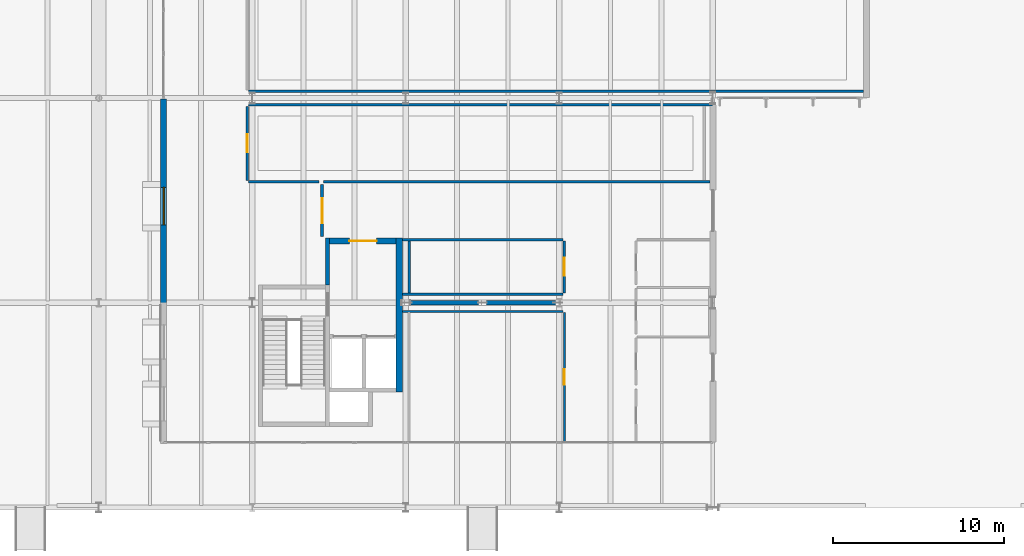
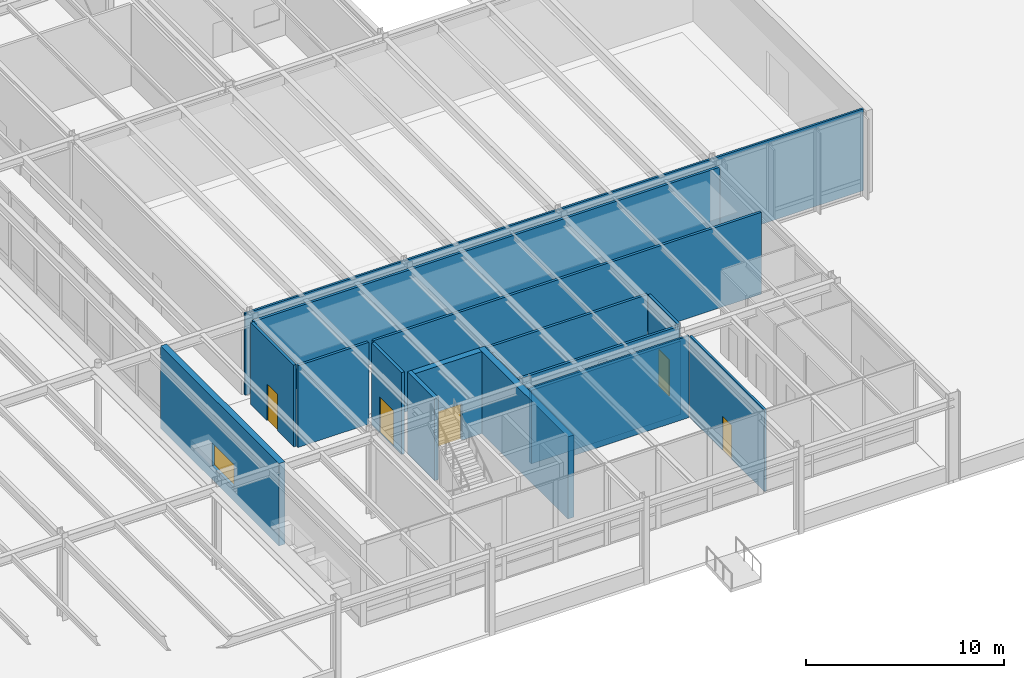
# One storey, part 122 of 143: 17 walls, 5 doors, 1 window, 6 openings.
"""IFC4 building model written with IfcOpenShell, lengths in metres."""

from ifc_helpers import new_model, si_unit, direction, frame, frame_2d, origin, place, context, subcontext, project, spatial, rectangle, extrude, material, layer, layer_set, type_object, element, fill, save


model = new_model("IFC4")

# Units and contexts
model_context = context("Model", 3, precision=1e-05, world=origin(), true_north=direction((0.0, 1.0)))
body_context = subcontext(model_context, "Body", "Model", "MODEL_VIEW")
ifc_project = project(units=[si_unit("LENGTHUNIT", "METRE"), si_unit("AREAUNIT", "SQUARE_METRE"), si_unit("VOLUMEUNIT", "CUBIC_METRE"), si_unit("PLANEANGLEUNIT", "RADIAN"), si_unit("MASSUNIT", "GRAM", prefix="KILO")], contexts=[model_context])

# Site, building, storey
site_placement = place(None, origin())
site = spatial("IfcSite", under=ifc_project, at=site_placement, CompositionType="ELEMENT")
building_placement = place(site_placement, origin())
building = spatial("IfcBuilding", under=site, at=building_placement, Name="Montelvaro Courts of Justice", CompositionType="ELEMENT")
storey_placement = place(building_placement, origin())
storey = spatial("IfcBuildingStorey", under=building, at=storey_placement, Name="L00", CompositionType="ELEMENT", Elevation=0.0)

# Wall
ifc_material_1 = material(Name="Gypsum board on metal stud")
ifc_layer_1 = layer(ifc_material_1, 0.14990234375)
ifc_layer_set_1 = layer_set([ifc_layer_1], Name="Gypsum board on metal stud")
wall_type_1 = type_object("IfcWallType", Name="ChambersPartition_150", PredefinedType="PARTITIONING", material=ifc_layer_set_1)
wall_1_placement = place(storey_placement, frame((111.919921875, 19.10009765625, 0.0), z_axis=(0.0, 0.0, 1.0), x_axis=(-1.0, 0.0, 0.0)))
element("IfcWall", 1, at=wall_1_placement, inside=storey, type_object=wall_type_1, Name="Interior Partition IW-04 (L00)", PredefinedType="PARTITIONING", context=body_context, shape_type="SweptSolid", body=[
    extrude(rectangle(XDim=4.139892578125, YDim=0.14990234375, at=frame_2d((2.06982421875, 0.0))), origin(), (0.0, 0.0, 1.0), 5.0400390625),
])

# Wall, opening, door
wall_2_placement = place(storey_placement, frame((107.699951171875, 19.179931640625, 0.0), z_axis=(0.0, 0.0, 1.0), x_axis=(0.0, 1.0, 0.0)))
wall_2 = element("IfcWall", 2, at=wall_2_placement, inside=storey, type_object=wall_type_1, Name="Interior Partition IW-04 (L00)", PredefinedType="PARTITIONING", context=body_context, shape_type="SweptSolid", body=[
    extrude(rectangle(XDim=4.340087890625, YDim=0.14990234375, at=frame_2d((2.169921875, 0.0))), origin(), (0.0, 0.0, 1.0), 5.0400390625),
])
opening_1_placement = place(wall_2_placement, frame((1.64501953125, 0.0, 0.0)))
opening_1 = element("IfcOpeningElement", 3, at=opening_1_placement, cuts=wall_2, Name="Opening D-L00-048", PredefinedType="OPENING", context=body_context, shape_type="SweptSolid", body=[
    extrude(rectangle(XDim=1.050048828125, YDim=2.25, at=frame_2d((0.52490234375, 1.125))), frame((0.0, 0.08984375, 0.0), z_axis=(0.0, -1.0, 0.0), x_axis=(1.0, 0.0, 0.0)), (0.0, 0.0, 1.0), 0.1796875),
])
ifc_material_2 = material(Name="Acoustic oak timber veneer", Category="wood")
door_type_1 = type_object("IfcDoorType", Name="ChamberDoor_105x225", OperationType="NOTDEFINED", PredefinedType="DOOR", material=ifc_material_2)
door_1_placement = place(opening_1_placement, origin())
door_1 = element("IfcDoor", 4, at=door_1_placement, inside=storey, type_object=door_type_1, Name="Interior Door D-L00-048 (Court Filing and Notifications Office)", OperationType="SINGLE_SWING_RIGHT", OverallHeight=2.25, OverallWidth=1.050048828125, PredefinedType="DOOR", context=body_context, shape_type="SweptSolid", body=[
    extrude(rectangle(XDim=1.050048828125, YDim=2.25, at=frame_2d((0.52490234375, 1.125))), frame((0.0, 0.02490234375, 0.0), z_axis=(0.0, -1.0, 0.0), x_axis=(1.0, 0.0, 0.0)), (0.0, 0.0, 1.0), 0.050048828125),
])
fill(opening_1, door_1)

# Walls
wall_3_placement = place(storey_placement, frame((107.780029296875, 23.60009765625, 0.0), z_axis=(0.0, 0.0, 1.0), x_axis=(1.0, 0.0, 0.0)))
element("IfcWall", 5, at=wall_3_placement, inside=storey, type_object=wall_type_1, Name="Interior Partition IW-04 (L00)", PredefinedType="PARTITIONING", context=body_context, shape_type="SweptSolid", body=[
    extrude(rectangle(XDim=27.2119140625, YDim=0.14990234375, at=frame_2d((13.60595703125, 0.0))), origin(), (0.0, 0.0, 1.0), 5.0400390625),
])
wall_4_placement = place(storey_placement, frame((134.830078125, 19.10009765625, 0.0), z_axis=(0.0, 0.0, 1.0), x_axis=(-1.0, 0.0, 0.0)))
element("IfcWall", 6, at=wall_4_placement, inside=storey, type_object=wall_type_1, Name="Interior Partition IW-04 (L00)", PredefinedType="PARTITIONING", context=body_context, shape_type="SweptSolid", body=[
    extrude(rectangle(XDim=22.650146484375, YDim=0.14990234375, at=frame_2d((11.3251953125, 0.0))), origin(), (0.0, 0.0, 1.0), 5.0400390625),
])

# Wall, opening, door
wall_5_placement = place(storey_placement, frame((126.300048828125, 15.6201171875, 0.0), z_axis=(0.0, 0.0, 1.0), x_axis=(0.0, -1.0, 0.0)))
wall_5 = element("IfcWall", 7, at=wall_5_placement, inside=storey, type_object=wall_type_1, Name="Interior Partition IW-04 (L00)", PredefinedType="PARTITIONING", context=body_context, shape_type="SweptSolid", body=[
    extrude(rectangle(XDim=3.0400390625, YDim=0.14990234375, at=frame_2d((1.52001953125, 0.0))), origin(), (0.0, 0.0, 1.0), 5.0400390625),
])
opening_2_placement = place(wall_5_placement, frame((0.9951171875, 0.0, 0.0)))
opening_2 = element("IfcOpeningElement", 8, at=opening_2_placement, cuts=wall_5, Name="Opening D-L00-050", PredefinedType="OPENING", context=body_context, shape_type="SweptSolid", body=[
    extrude(rectangle(XDim=1.050048828125, YDim=2.25, at=frame_2d((0.52490234375, 1.125))), frame((0.0, 0.08984375, 0.0), z_axis=(0.0, -1.0, 0.0), x_axis=(1.0, 0.0, 0.0)), (0.0, 0.0, 1.0), 0.1796875),
])
door_2_placement = place(opening_2_placement, origin())
door_2 = element("IfcDoor", 9, at=door_2_placement, inside=storey, type_object=door_type_1, Name="Interior Door D-L00-050 (Media Broadcast Studio L00)", OperationType="SINGLE_SWING_RIGHT", OverallHeight=2.25, OverallWidth=1.050048828125, PredefinedType="DOOR", context=body_context, shape_type="SweptSolid", body=[
    extrude(rectangle(XDim=1.050048828125, YDim=2.25, at=frame_2d((0.52490234375, 1.125))), frame((0.0, 0.02490234375, 0.0), z_axis=(0.0, -1.0, 0.0), x_axis=(1.0, 0.0, 0.0)), (0.0, 0.0, 1.0), 0.050048828125),
])
fill(opening_2, door_2)

# Walls
wall_6_placement = place(storey_placement, frame((126.219970703125, 12.5, 0.0), z_axis=(0.0, 0.0, 1.0), x_axis=(-1.0, 0.0, 0.0)))
element("IfcWall", 10, at=wall_6_placement, inside=storey, type_object=wall_type_1, Name="Interior Partition IW-04 (L00)", PredefinedType="PARTITIONING", context=body_context, shape_type="SweptSolid", body=[
    extrude(rectangle(XDim=9.425048828125, YDim=0.14990234375, at=frame_2d((4.71240234375, 0.0))), origin(), (0.0, 0.0, 1.0), 5.0400390625),
])
wall_7_placement = place(storey_placement, frame((117.199951171875, 12.570068359375, 0.0), z_axis=(0.0, 0.0, 1.0), x_axis=(0.0, 1.0, 0.0)))
element("IfcWall", 11, at=wall_7_placement, inside=storey, type_object=wall_type_1, Name="Interior Partition IW-04 (L00)", PredefinedType="PARTITIONING", context=body_context, shape_type="SweptSolid", body=[
    extrude(rectangle(XDim=3.050048828125, YDim=0.14990234375, at=frame_2d((1.52490234375, 0.0))), origin(), (0.0, 0.0, 1.0), 4.635009765625),
])
wall_8_placement = place(storey_placement, frame((116.794921875, 15.699951171875, 0.0), z_axis=(0.0, 0.0, 1.0), x_axis=(1.0, 0.0, 0.0)))
element("IfcWall", 12, at=wall_8_placement, inside=storey, type_object=wall_type_1, Name="Interior Partition IW-04 (L00)", PredefinedType="PARTITIONING", context=body_context, shape_type="SweptSolid", body=[
    extrude(rectangle(XDim=9.425048828125, YDim=0.14990234375, at=frame_2d((4.71240234375, 0.0))), origin(), (0.0, 0.0, 1.0), 5.0400390625),
])

# Wall, opening, door
ifc_material_3 = material(Name="Concrete C40/50", Category="concrete")
ifc_layer_2 = layer(ifc_material_3, 0.360107421875)
ifc_layer_set_2 = layer_set([ifc_layer_2], Name="Concrete C40/50")
wall_type_2 = type_object("IfcWallType", Name="CoreWall_360", PredefinedType="SHEAR", material=ifc_layer_set_2)
wall_9_placement = place(storey_placement, frame((112.5400390625, 15.6201171875, 0.0), z_axis=(0.0, 0.0, 1.0), x_axis=(1.0, 0.0, 0.0)))
wall_9 = element("IfcWall", 13, at=wall_9_placement, inside=storey, type_object=wall_type_2, Name="Core Shear Wall CW-01 K2-N (L00)", PredefinedType="SHEAR", context=body_context, shape_type="SweptSolid", body=[
    extrude(rectangle(XDim=3.89990234375, YDim=0.360107421875, at=frame_2d((1.949951171875, 0.0))), origin(), (0.0, 0.0, 1.0), 5.06005859375),
])
opening_3_placement = place(wall_9_placement, frame((1.14990234375, 0.0, 0.0)))
opening_3 = element("IfcOpeningElement", 14, at=opening_3_placement, cuts=wall_9, Name="Opening DL-L00-K2", PredefinedType="OPENING", context=body_context, shape_type="SweptSolid", body=[
    extrude(rectangle(XDim=1.60009765625, YDim=2.25, at=frame_2d((0.800048828125, 1.125))), frame((0.0, 0.19482421875, 0.0), z_axis=(0.0, -1.0, 0.0), x_axis=(1.0, 0.0, 0.0)), (0.0, 0.0, 1.0), 0.389892578125),
])
ifc_material_4 = material(Name="Galvanised steel S355 security door", Category="steel")
door_type_2 = type_object("IfcDoorType", Name="LobbyFireDoor_160x225", OperationType="DOUBLE_DOOR_SINGLE_SWING", PredefinedType="DOOR", material=ifc_material_4)
door_3_placement = place(opening_3_placement, origin())
door_3 = element("IfcDoor", 15, at=door_3_placement, inside=storey, type_object=door_type_2, Name="Core Lobby Fire Door DL-L00-K2", OperationType="DOUBLE_DOOR_SINGLE_SWING", OverallHeight=2.25, OverallWidth=1.60009765625, PredefinedType="DOOR", context=body_context, shape_type="SweptSolid", body=[
    extrude(rectangle(XDim=1.60009765625, YDim=2.25, at=frame_2d((0.800048828125, 1.125))), frame((0.0, 0.02490234375, 0.0), z_axis=(0.0, -1.0, 0.0), x_axis=(1.0, 0.0, 0.0)), (0.0, 0.0, 1.0), 0.050048828125),
])
fill(opening_3, door_3)

# Wall
wall_10_placement = place(storey_placement, frame((116.6201171875, 6.760009765625, 0.0), z_axis=(0.0, 0.0, 1.0), x_axis=(0.0, 1.0, 0.0)))
element("IfcWall", 16, at=wall_10_placement, inside=storey, type_object=wall_type_2, Name="Core Shear Wall CW-01 K2-E (L00)", PredefinedType="SHEAR", context=body_context, shape_type="SweptSolid", body=[
    extrude(rectangle(XDim=9.0400390625, YDim=0.360107421875, at=frame_2d((4.52001953125, 0.0))), origin(), (0.0, 0.0, 1.0), 5.06005859375),
])

# Wall, opening, door
ifc_material_5 = material(Name="Fire-rated gypsum and steel stud", Category="steel")
ifc_layer_3 = layer(ifc_material_5, 0.179931640625)
ifc_layer_set_3 = layer_set([ifc_layer_3], Name="Fire-rated gypsum and steel stud")
wall_type_3 = type_object("IfcWallType", Name="CorridorFireWall_180", PredefinedType="PARTITIONING", material=ifc_layer_set_3)
wall_11_placement = place(storey_placement, frame((112.10009765625, 15.8798828125, 0.0), z_axis=(0.0, 0.0, 1.0), x_axis=(0.0, 1.0, 0.0)))
wall_11 = element("IfcWall", 17, at=wall_11_placement, inside=storey, type_object=wall_type_3, Name="Interior Partition IW-02 (L00)", PredefinedType="PARTITIONING", context=body_context, shape_type="SweptSolid", body=[
    extrude(rectangle(XDim=3.0400390625, YDim=0.179931640625, at=frame_2d((1.52001953125, 0.0))), origin(), (0.0, 0.0, 1.0), 5.0400390625),
])
opening_4_placement = place(wall_11_placement, frame((0.794921875, 0.0, 0.0)))
opening_4 = element("IfcOpeningElement", 18, at=opening_4_placement, cuts=wall_11, Name="Opening D-L00-027", PredefinedType="OPENING", context=body_context, shape_type="SweptSolid", body=[
    extrude(rectangle(XDim=1.449951171875, YDim=2.199951171875, at=frame_2d((0.72509765625, 1.10009765625))), frame((0.0, 0.10498046875, 0.0), z_axis=(0.0, -1.0, 0.0), x_axis=(1.0, 0.0, 0.0)), (0.0, 0.0, 1.0), 0.209716796875),
])
door_type_3 = type_object("IfcDoorType", Name="LobbyFireDoor_145x220", OperationType="DOUBLE_DOOR_SINGLE_SWING", PredefinedType="DOOR", material=ifc_material_4)
door_4_placement = place(opening_4_placement, origin())
door_4 = element("IfcDoor", 19, at=door_4_placement, inside=storey, type_object=door_type_3, Name="Interior Door D-L00-027 (Protected Exit Corridor ST-K2)", OperationType="DOUBLE_DOOR_SINGLE_SWING", OverallHeight=2.199951171875, OverallWidth=1.449951171875, PredefinedType="DOOR", context=body_context, shape_type="SweptSolid", body=[
    extrude(rectangle(XDim=1.449951171875, YDim=2.199951171875, at=frame_2d((0.72509765625, 1.10009765625))), frame((0.0, 0.02490234375, 0.0), z_axis=(0.0, -1.0, 0.0), x_axis=(1.0, 0.0, 0.0)), (0.0, 0.0, 1.0), 0.050048828125),
])
fill(opening_4, door_4)

# Wall, opening, window
ifc_material_6 = material(Name="Precast concrete C45/55", Category="concrete")
ifc_layer_4 = layer(ifc_material_6, 0.35009765625)
ifc_layer_set_4 = layer_set([ifc_layer_4], Name="Precast concrete C45/55")
wall_type_4 = type_object("IfcWallType", Name="ExtWall_Limestone_350", PredefinedType="SOLIDWALL", material=ifc_layer_set_4)
wall_12_placement = place(storey_placement, frame((102.800048828125, 23.9599609375, 0.0), z_axis=(0.0, 0.0, 1.0), x_axis=(0.0, -1.0, 0.0)))
wall_12 = element("IfcWall", 20, at=wall_12_placement, inside=storey, type_object=wall_type_4, Name="Exterior Facade Wall EW-03 (L00)", PredefinedType="SOLIDWALL", context=body_context, shape_type="SweptSolid", body=[
    extrude(rectangle(XDim=11.969970703125, YDim=0.35009765625, at=frame_2d((5.98486328125, 0.0))), origin(), (0.0, 0.0, 1.0), 5.080078125),
])
opening_5_placement = place(wall_12_placement, frame((5.199951171875, 0.0, 0.85009765625)))
opening_5 = element("IfcOpeningElement", 21, at=opening_5_placement, cuts=wall_12, Name="Opening WE-23", PredefinedType="OPENING", context=body_context, shape_type="SweptSolid", body=[
    extrude(rectangle(XDim=2.199951171875, YDim=1.39990234375, at=frame_2d((1.10009765625, 0.699951171875))), frame((0.0, 0.18994140625, 0.0), z_axis=(0.0, -1.0, 0.0), x_axis=(1.0, 0.0, 0.0)), (0.0, 0.0, 1.0), 0.3798828125),
])
ifc_material_7 = material(Name="Low-E solar control double glazing", Category="glass")
window_type = type_object("IfcWindowType", Name="Win_Rect_220x140", PartitioningType="SINGLE_PANEL", PredefinedType="WINDOW", material=ifc_material_7)
window_placement = place(opening_5_placement, origin())
window = element("IfcWindow", 22, at=window_placement, inside=storey, type_object=window_type, Name="Window W-L00-025", OverallHeight=1.39990234375, OverallWidth=2.199951171875, PartitioningType="SINGLE_PANEL", PredefinedType="WINDOW", context=body_context, shape_type="SweptSolid", body=[
    extrude(rectangle(XDim=2.199951171875, YDim=1.39990234375, at=frame_2d((1.10009765625, 0.699951171875))), frame((0.0, 0.030029296875, 0.0), z_axis=(0.0, -1.0, 0.0), x_axis=(1.0, 0.0, 0.0)), (0.0, 0.0, 1.0), 0.06005859375),
])
fill(opening_5, window)

# Walls
ifc_layer_5 = layer(ifc_material_1, 0.1201171875)
ifc_layer_set_5 = layer_set([ifc_layer_5], Name="Gypsum board on metal stud")
wall_type_5 = type_object("IfcWallType", Name="OfficePartition_120", PredefinedType="PARTITIONING", material=ifc_layer_set_5)
wall_13_placement = place(storey_placement, frame((143.830078125, 24.39990234375, 0.0), z_axis=(0.0, 0.0, 1.0), x_axis=(-1.0, 0.0, 0.0)))
element("IfcWall", 23, at=wall_13_placement, inside=storey, type_object=wall_type_5, Name="Interior Partition IW-05 (L00)", PredefinedType="PARTITIONING", context=body_context, shape_type="SweptSolid", body=[
    extrude(rectangle(XDim=36.050048828125, YDim=0.1201171875, at=frame_2d((18.02490234375, 0.0))), origin(), (0.0, 0.0, 1.0), 5.0400390625),
])
wall_14_placement = place(storey_placement, frame((116.794921875, 11.5, 0.0), z_axis=(0.0, 0.0, 1.0), x_axis=(1.0, 0.0, 0.0)))
element("IfcWall", 24, at=wall_14_placement, inside=storey, type_object=wall_type_5, Name="Interior Partition IW-05 (L00)", PredefinedType="PARTITIONING", context=body_context, shape_type="SweptSolid", body=[
    extrude(rectangle(XDim=9.425048828125, YDim=0.1201171875, at=frame_2d((4.71240234375, 0.0))), origin(), (0.0, 0.0, 1.0), 5.0400390625),
])

# Wall, opening, door
wall_15_placement = place(storey_placement, frame((126.300048828125, 11.419921875, 0.0), z_axis=(0.0, 0.0, 1.0), x_axis=(0.0, -1.0, 0.0)))
wall_15 = element("IfcWall", 25, at=wall_15_placement, inside=storey, type_object=wall_type_5, Name="Interior Partition IW-05 (L00)", PredefinedType="PARTITIONING", context=body_context, shape_type="SweptSolid", body=[
    extrude(rectangle(XDim=7.544921875, YDim=0.1201171875, at=frame_2d((3.7724609375, 0.0))), origin(), (0.0, 0.0, 1.0), 5.0400390625),
])
opening_6_placement = place(wall_15_placement, frame((3.322021484375, 0.0, 0.0)))
opening_6 = element("IfcOpeningElement", 26, at=opening_6_placement, cuts=wall_15, Name="Opening D-L00-049", PredefinedType="OPENING", context=body_context, shape_type="SweptSolid", body=[
    extrude(rectangle(XDim=0.89990234375, YDim=2.10009765625, at=frame_2d((0.449951171875, 1.050048828125))), frame((0.0, 0.074951171875, 0.0), z_axis=(0.0, -1.0, 0.0), x_axis=(1.0, 0.0, 0.0)), (0.0, 0.0, 1.0), 0.14990234375),
])
door_type_4 = type_object("IfcDoorType", Name="OfficeDoor_090x210", OperationType="NOTDEFINED", PredefinedType="DOOR", material=ifc_material_2)
door_5_placement = place(opening_6_placement, frame((0.89990234375, 0.0, 0.0), z_axis=(0.0, 0.0, 1.0), x_axis=(-1.0, 0.0, 0.0)))
door_5 = element("IfcDoor", 27, at=door_5_placement, inside=storey, type_object=door_type_4, Name="Interior Door D-L00-049 (Press and Media Briefing Room)", OperationType="SINGLE_SWING_LEFT", OverallHeight=2.10009765625, OverallWidth=0.89990234375, PredefinedType="DOOR", context=body_context, shape_type="SweptSolid", body=[
    extrude(rectangle(XDim=0.89990234375, YDim=2.10009765625, at=frame_2d((0.449951171875, 1.050048828125))), frame((0.0, 0.02490234375, 0.0), z_axis=(0.0, -1.0, 0.0), x_axis=(1.0, 0.0, 0.0)), (0.0, 0.0, 1.0), 0.050048828125),
])
fill(opening_6, door_5)

# Walls
ifc_material_8 = material(Name="Concrete C35/45", Category="concrete")
ifc_layer_6 = layer(ifc_material_8, 0.239990234375)
ifc_layer_set_6 = layer_set([ifc_layer_6], Name="Concrete C35/45")
wall_type_6 = type_object("IfcWallType", Name="ShaftWall_240", PredefinedType="SHEAR", material=ifc_layer_set_6)
wall_16_placement = place(storey_placement, frame((112.419921875, 13.0400390625, 0.0), z_axis=(0.0, 0.0, 1.0), x_axis=(0.0, 1.0, 0.0)))
element("IfcWall", 28, at=wall_16_placement, inside=storey, type_object=wall_type_6, Name="Core Lobby Structural Wall K2-W (L00)", PredefinedType="SHEAR", context=body_context, shape_type="SweptSolid", body=[
    extrude(rectangle(XDim=2.760009765625, YDim=0.239990234375, at=frame_2d((1.3798828125, 0.0))), origin(), (0.0, 0.0, 1.0), 5.06005859375),
])
wall_17_placement = place(storey_placement, frame((117.27294921875, 12.0, 0.0), z_axis=(0.0, 0.0, 1.0), x_axis=(1.0, 0.0, 0.0)))
element("IfcWall", 29, at=wall_17_placement, inside=storey, type_object=wall_type_6, Name="Enclosed Braced Frame Structural Wall CBF2 (L00)", PredefinedType="SHEAR", context=body_context, shape_type="SweptSolid", body=[
    extrude(rectangle(XDim=8.718994140625, YDim=0.239990234375, at=frame_2d((4.359375, 0.0))), origin(), (0.0, 0.0, 1.0), 4.534912109375),
])

save(model, "model.ifc")
